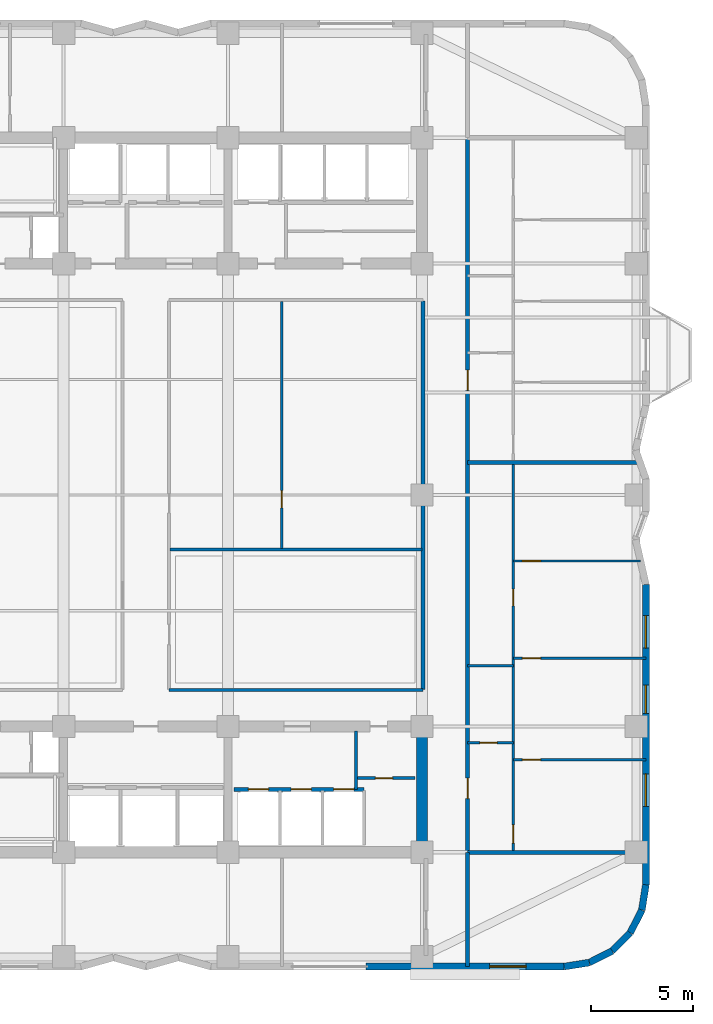
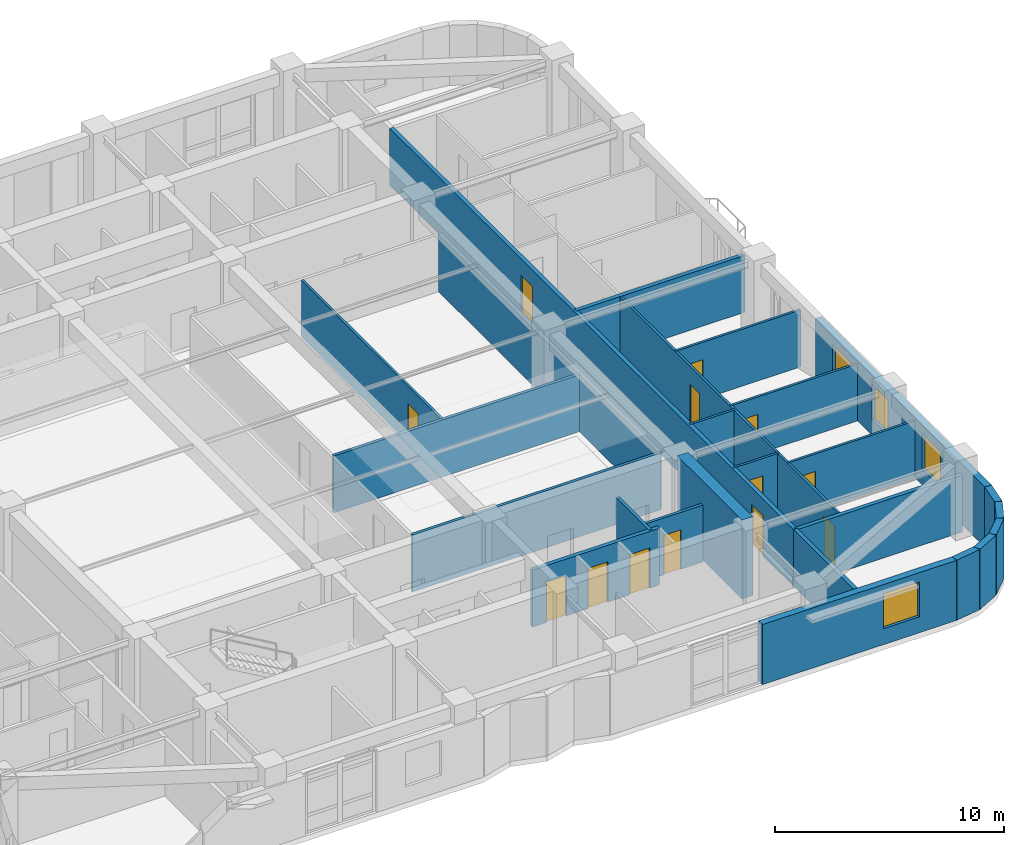
# One storey, part 9 of 15: 25 walls, 13 doors, 4 windows, 17 openings.
"""IFC4 building model written with IfcOpenShell, lengths in metres."""

from ifc_helpers import new_model, si_unit, direction, frame, frame_2d, origin, place, context, subcontext, project, spatial, rectangle, extrude, material, layer, layer_set, type_object, element, fill, save


model = new_model("IFC4")

# Units and contexts
model_context = context("Model", 3, precision=1e-05, world=origin(), true_north=direction((0.0, 1.0)))
body_context = subcontext(model_context, "Body", "Model", "MODEL_VIEW")
ifc_project = project(units=[si_unit("LENGTHUNIT", "METRE"), si_unit("AREAUNIT", "SQUARE_METRE"), si_unit("VOLUMEUNIT", "CUBIC_METRE"), si_unit("PLANEANGLEUNIT", "RADIAN"), si_unit("MASSUNIT", "GRAM", prefix="KILO")], contexts=[model_context])

# Site, building, storey
site_placement = place(None, origin())
site = spatial("IfcSite", under=ifc_project, at=site_placement, CompositionType="ELEMENT")
building_placement = place(site_placement, origin())
building = spatial("IfcBuilding", under=site, at=building_placement, Name="Svetorya Sky Lyceum", CompositionType="ELEMENT")
storey_placement = place(building_placement, frame((0.0, 0.0, 84.10009765625)))
storey = spatial("IfcBuildingStorey", under=building, at=storey_placement, Name="L20", CompositionType="ELEMENT", Elevation=84.10009765625)

# Wall
ifc_material_1 = material(Name="Concrete C60/75", Category="concrete")
ifc_layer_1 = layer(ifc_material_1, 0.550048828125)
ifc_layer_set_1 = layer_set([ifc_layer_1], Name="Concrete C60/75")
wall_type_1 = type_object("IfcWallType", Name="WL-CORE-550", PredefinedType="SHEAR", material=ifc_layer_set_1)
wall_1_placement = place(storey_placement, frame((52.800048828125, 10.875, 0.0), z_axis=(0.0, 0.0, 1.0), x_axis=(0.0, 1.0, 0.0)))
element("IfcWall", 1, at=wall_1_placement, inside=storey, type_object=wall_type_1, Name="L20 SC East Core Shear Wall", PredefinedType="SHEAR", context=body_context, shape_type="SweptSolid", body=[
    extrude(rectangle(XDim=5.64990234375, YDim=0.550048828125, at=frame_2d((2.824951171875, 0.0))), origin(), (0.0, 0.0, 1.0), 4.199951171875),
])

# Wall, opening, window
ifc_material_2 = material(Name="Putilovo limestone rainscreen on autoclaved cellular masonry", Category="masonry")
ifc_layer_2 = layer(ifc_material_2, 0.340087890625)
ifc_layer_set_2 = layer_set([ifc_layer_2], Name="Putilovo limestone rainscreen on autoclaved cellular masonry")
wall_type_2 = type_object("IfcWallType", Name="WL-EXT-340", PredefinedType="SOLIDWALL", material=ifc_layer_set_2)
wall_2_placement = place(storey_placement, frame((50.050048828125, 4.969970703125, 0.0), z_axis=(0.0, 0.0, 1.0), x_axis=(1.0, 0.0, 0.0)))
wall_2 = element("IfcWall", 2, at=wall_2_placement, inside=storey, type_object=wall_type_2, Name="L20 Limestone Exterior Wall 11B", PredefinedType="SOLIDWALL", context=body_context, shape_type="SweptSolid", body=[
    extrude(rectangle(XDim=9.75, YDim=0.340087890625, at=frame_2d((4.875, 0.0))), origin(), (0.0, 0.0, 1.0), 3.199951171875),
])
opening_1_placement = place(wall_2_placement, frame((6.08740234375, 0.0, 0.85009765625)))
opening_1 = element("IfcOpeningElement", 3, at=opening_1_placement, cuts=wall_2, Name="Opening W-R1", PredefinedType="OPENING", context=body_context, shape_type="SweptSolid", body=[
    extrude(rectangle(XDim=1.800048828125, YDim=1.85009765625, at=frame_2d((0.89990234375, 0.925048828125))), frame((0.0, 0.179931640625, 0.0), z_axis=(0.0, -1.0, 0.0), x_axis=(1.0, 0.0, 0.0)), (0.0, 0.0, 1.0), 0.360107421875),
])
ifc_material_3 = material(Name="Thermally broken aluminium frame with triple low-E glazing", Category="aluminium")
window_type_1 = type_object("IfcWindowType", Name="WN-RES-180", PartitioningType="DOUBLE_PANEL_VERTICAL", PredefinedType="WINDOW", material=ifc_material_3)
window_1_placement = place(opening_1_placement, origin())
window_1 = element("IfcWindow", 4, at=window_1_placement, inside=storey, type_object=window_type_1, Name="L20 Facade Window W-R1.11B.1", OverallHeight=1.85009765625, OverallWidth=1.800048828125, PartitioningType="SINGLE_PANEL", PredefinedType="WINDOW", context=body_context, shape_type="SweptSolid", body=[
    extrude(rectangle(XDim=1.800048828125, YDim=1.85009765625, at=frame_2d((0.89990234375, 0.925048828125))), frame((0.0, 0.030029296875, 0.0), z_axis=(0.0, -1.0, 0.0), x_axis=(1.0, 0.0, 0.0)), (0.0, 0.0, 1.0), 0.06005859375),
])
fill(opening_1, window_1)

# Walls
wall_3_placement = place(storey_placement, frame((59.800048828125, 4.969970703125, 0.0), z_axis=(0.0, 0.0, 1.0), x_axis=(0.987685918112, 0.15644975923, 0.0)))
element("IfcWall", 5, at=wall_3_placement, inside=storey, type_object=wall_type_2, Name="L20 Limestone Exterior Wall 12M", PredefinedType="SOLIDWALL", context=body_context, shape_type="SweptSolid", body=[
    extrude(rectangle(XDim=1.260986328125, YDim=0.340087890625, at=frame_2d((0.63037109375, 0.0))), origin(), (0.0, 0.0, 1.0), 3.199951171875),
])
for number, where, z_axis, x_axis, name in (
    (6, (61.04541015625, 5.167236328125, 0.0), (0.0, 0.0, 1.0), (0.890953769915, 0.454094020963, 0.0), "L20 Limestone Exterior Wall 13M"),
    (7, (62.168701171875, 5.73974609375, 0.0), (0.0, 0.0, 1.0), (0.707203598708, 0.707009950407, 0.0), "L20 Limestone Exterior Wall 14M"),
):
    element("IfcWall", number, at=place(storey_placement, frame(where, z_axis=z_axis, x_axis=x_axis)), inside=storey, type_object=wall_type_2, Name=name, PredefinedType="SOLIDWALL", context=body_context, shape_type="SweptSolid", body=[
        extrude(rectangle(XDim=1.2607421875, YDim=0.340087890625, at=frame_2d((0.63037109375, 0.0))), origin(), (0.0, 0.0, 1.0), 3.199951171875),
    ])
for number, where, z_axis, x_axis, name in (
    (8, (63.060302734375, 6.631103515625, 0.0), (0.0, 0.0, 1.0), (0.454015689056, 0.890993689142, 0.0), "L20 Limestone Exterior Wall 15M"),
    (9, (63.6328125, 7.754638671875, 0.0), (0.0, 0.0, 1.0), (0.15644975923, 0.987685918112, 0.0), "L20 Limestone Exterior Wall 16M"),
):
    element("IfcWall", number, at=place(storey_placement, frame(where, z_axis=z_axis, x_axis=x_axis)), inside=storey, type_object=wall_type_2, Name=name, PredefinedType="SOLIDWALL", context=body_context, shape_type="SweptSolid", body=[
        extrude(rectangle(XDim=1.260986328125, YDim=0.340087890625, at=frame_2d((0.63037109375, 0.0))), origin(), (0.0, 0.0, 1.0), 3.199951171875),
    ])

# Wall, openings, windows
wall_4_placement = place(storey_placement, frame((63.830078125, 9.0, 0.0), z_axis=(0.0, 0.0, 1.0), x_axis=(0.0, 1.0, 0.0)))
wall_4 = element("IfcWall", 10, at=wall_4_placement, inside=storey, type_object=wall_type_2, Name="L20 Limestone Exterior Wall 17M", PredefinedType="SOLIDWALL", context=body_context, shape_type="SweptSolid", body=[
    extrude(rectangle(XDim=14.800048828125, YDim=0.340087890625, at=frame_2d((7.39990234375, 0.0))), origin(), (0.0, 0.0, 1.0), 3.199951171875),
])
opening_2_placement = place(wall_4_placement, frame((3.862548828125, 0.0, 0.85009765625)))
opening_2 = element("IfcOpeningElement", 11, at=opening_2_placement, cuts=wall_4, Name="Opening W-R4", PredefinedType="OPENING", context=body_context, shape_type="SweptSolid", body=[
    extrude(rectangle(XDim=1.60009765625, YDim=1.89990234375, at=frame_2d((0.800048828125, 0.949951171875))), frame((0.0, 0.179931640625, 0.0), z_axis=(0.0, -1.0, 0.0), x_axis=(1.0, 0.0, 0.0)), (0.0, 0.0, 1.0), 0.360107421875),
])
opening_3_placement = place(wall_4_placement, frame((8.43994140625, 0.0, 0.85009765625)))
opening_3 = element("IfcOpeningElement", 12, at=opening_3_placement, cuts=wall_4, Name="Opening W-R2", PredefinedType="OPENING", context=body_context, shape_type="SweptSolid", body=[
    extrude(rectangle(XDim=1.39990234375, YDim=1.85009765625, at=frame_2d((0.699951171875, 0.925048828125))), frame((0.0, 0.179931640625, 0.0), z_axis=(0.0, -1.0, 0.0), x_axis=(1.0, 0.0, 0.0)), (0.0, 0.0, 1.0), 0.360107421875),
])
opening_4_placement = place(wall_4_placement, frame((11.66259765625, 0.0, 0.85009765625)))
opening_4 = element("IfcOpeningElement", 13, at=opening_4_placement, cuts=wall_4, Name="Opening W-R4", PredefinedType="OPENING", context=body_context, shape_type="SweptSolid", body=[
    extrude(rectangle(XDim=1.60009765625, YDim=1.89990234375, at=frame_2d((0.800048828125, 0.949951171875))), frame((0.0, 0.179931640625, 0.0), z_axis=(0.0, -1.0, 0.0), x_axis=(1.0, 0.0, 0.0)), (0.0, 0.0, 1.0), 0.360107421875),
])
window_type_2 = type_object("IfcWindowType", Name="WN-RES-140", PartitioningType="SINGLE_PANEL", PredefinedType="WINDOW", material=ifc_material_3)
window_2_placement = place(opening_3_placement, origin())
window_2 = element("IfcWindow", 14, at=window_2_placement, inside=storey, type_object=window_type_2, Name="L20 Facade Window W-R2.17M.3", OverallHeight=1.85009765625, OverallWidth=1.39990234375, PartitioningType="SINGLE_PANEL", PredefinedType="WINDOW", context=body_context, shape_type="SweptSolid", body=[
    extrude(rectangle(XDim=1.39990234375, YDim=1.85009765625, at=frame_2d((0.699951171875, 0.925048828125))), frame((0.0, 0.030029296875, 0.0), z_axis=(0.0, -1.0, 0.0), x_axis=(1.0, 0.0, 0.0)), (0.0, 0.0, 1.0), 0.06005859375),
])
fill(opening_3, window_2)
window_type_3 = type_object("IfcWindowType", Name="WN-RES-160", PartitioningType="DOUBLE_PANEL_VERTICAL", PredefinedType="WINDOW", material=ifc_material_3)
window_3_placement = place(opening_2_placement, origin())
window_3 = element("IfcWindow", 15, at=window_3_placement, inside=storey, type_object=window_type_3, Name="L20 Facade Window W-R4.17M.1", OverallHeight=1.89990234375, OverallWidth=1.60009765625, PartitioningType="SINGLE_PANEL", PredefinedType="WINDOW", context=body_context, shape_type="SweptSolid", body=[
    extrude(rectangle(XDim=1.60009765625, YDim=1.89990234375, at=frame_2d((0.800048828125, 0.949951171875))), frame((0.0, 0.030029296875, 0.0), z_axis=(0.0, -1.0, 0.0), x_axis=(1.0, 0.0, 0.0)), (0.0, 0.0, 1.0), 0.06005859375),
])
fill(opening_2, window_3)
window_4_placement = place(opening_4_placement, origin())
window_4 = element("IfcWindow", 16, at=window_4_placement, inside=storey, type_object=window_type_3, Name="L20 Facade Window W-R4.17M.2", OverallHeight=1.89990234375, OverallWidth=1.60009765625, PartitioningType="SINGLE_PANEL", PredefinedType="WINDOW", context=body_context, shape_type="SweptSolid", body=[
    extrude(rectangle(XDim=1.60009765625, YDim=1.89990234375, at=frame_2d((0.800048828125, 0.949951171875))), frame((0.0, 0.030029296875, 0.0), z_axis=(0.0, -1.0, 0.0), x_axis=(1.0, 0.0, 0.0)), (0.0, 0.0, 1.0), 0.06005859375),
])
fill(opening_4, window_4)

# Wall, opening, door
ifc_material_4 = material(Name="Twin-stud galvanized framing with double fireboard", Category="gypsum")
ifc_layer_3 = layer(ifc_material_4, 0.1201171875)
ifc_layer_set_3 = layer_set([ifc_layer_3], Name="Twin-stud galvanized framing with double fireboard")
wall_type_3 = type_object("IfcWallType", Name="WL-PART-120", PredefinedType="PARTITIONING", material=ifc_layer_set_3)
wall_5_placement = place(storey_placement, frame((45.89990234375, 25.5703125, 0.0), z_axis=(0.0, 0.0, 1.0), x_axis=(0.0, 1.0, 0.0)))
wall_5 = element("IfcWall", 17, at=wall_5_placement, inside=storey, type_object=wall_type_3, Name="L20 Interior Partition SKY-DIV", PredefinedType="PARTITIONING", context=body_context, shape_type="SweptSolid", body=[
    extrude(rectangle(XDim=12.169677734375, YDim=0.1201171875, at=frame_2d((6.0849609375, 0.0))), origin(), (0.0, 0.0, 1.0), 3.02978515625),
])
opening_5_placement = place(wall_5_placement, frame((2.0, 0.0, 0.0)))
opening_5 = element("IfcOpeningElement", 18, at=opening_5_placement, cuts=wall_5, Name="Opening D-BT1", PredefinedType="OPENING", context=body_context, shape_type="SweptSolid", body=[
    extrude(rectangle(XDim=0.85009765625, YDim=2.10009765625, at=frame_2d((0.425048828125, 1.050048828125))), frame((0.0, 0.070068359375, 0.0), z_axis=(0.0, -1.0, 0.0), x_axis=(1.0, 0.0, 0.0)), (0.0, 0.0, 1.0), 0.14013671875),
])
ifc_material_5 = material(Name="Moisture-resistant laminate bathroom door")
door_type_1 = type_object("IfcDoorType", Name="DR-WET-850", OperationType="SINGLE_SWING_LEFT", PredefinedType="DOOR", material=ifc_material_5)
door_1_placement = place(opening_5_placement, origin())
door_1 = element("IfcDoor", 19, at=door_1_placement, inside=storey, type_object=door_type_1, Name="L20 Luggage Store Door", OperationType="SINGLE_SWING_LEFT", OverallHeight=2.10009765625, OverallWidth=0.85009765625, PredefinedType="DOOR", context=body_context, shape_type="SweptSolid", body=[
    extrude(rectangle(XDim=0.85009765625, YDim=2.10009765625, at=frame_2d((0.425048828125, 1.050048828125))), frame((0.0, 0.02490234375, 0.0), z_axis=(0.0, -1.0, 0.0), x_axis=(1.0, 0.0, 0.0)), (0.0, 0.0, 1.0), 0.050048828125),
])
fill(opening_5, door_1)

wall_6_placement = place(storey_placement, frame((55.050048828125, 16.0, 0.0), z_axis=(0.0, 0.0, 1.0), x_axis=(1.0, 0.0, 0.0)))
wall_6 = element("IfcWall", 20, at=wall_6_placement, inside=storey, type_object=wall_type_3, Name="L20 Interior Partition E1-WH1", PredefinedType="PARTITIONING", context=body_context, shape_type="SweptSolid", body=[
    extrude(rectangle(XDim=2.25, YDim=0.1201171875, at=frame_2d((1.125, 0.0))), origin(), (0.0, 0.0, 1.0), 3.02978515625),
])
opening_6_placement = place(wall_6_placement, frame((0.60009765625, 0.0, 0.0)))
opening_6 = element("IfcOpeningElement", 21, at=opening_6_placement, cuts=wall_6, Name="Opening D-BT1", PredefinedType="OPENING", context=body_context, shape_type="SweptSolid", body=[
    extrude(rectangle(XDim=0.85009765625, YDim=2.10009765625, at=frame_2d((0.425048828125, 1.050048828125))), frame((0.0, 0.070068359375, 0.0), z_axis=(0.0, -1.0, 0.0), x_axis=(1.0, 0.0, 0.0)), (0.0, 0.0, 1.0), 0.14013671875),
])
door_2_placement = place(opening_6_placement, origin())
door_2 = element("IfcDoor", 22, at=door_2_placement, inside=storey, type_object=door_type_1, Name="Apartment E1 Bathroom Door", OperationType="SINGLE_SWING_RIGHT", OverallHeight=2.10009765625, OverallWidth=0.85009765625, PredefinedType="DOOR", context=body_context, shape_type="SweptSolid", body=[
    extrude(rectangle(XDim=0.85009765625, YDim=2.10009765625, at=frame_2d((0.425048828125, 1.050048828125))), frame((0.0, 0.02490234375, 0.0), z_axis=(0.0, -1.0, 0.0), x_axis=(1.0, 0.0, 0.0)), (0.0, 0.0, 1.0), 0.050048828125),
])
fill(opening_6, door_2)

# Wall
wall_7_placement = place(storey_placement, frame((55.050048828125, 19.800048828125, 0.0), z_axis=(0.0, 0.0, 1.0), x_axis=(1.0, 0.0, 0.0)))
element("IfcWall", 23, at=wall_7_placement, inside=storey, type_object=wall_type_3, Name="L20 Interior Partition E1-WH2", PredefinedType="PARTITIONING", context=body_context, shape_type="SweptSolid", body=[
    extrude(rectangle(XDim=2.25, YDim=0.1201171875, at=frame_2d((1.125, 0.0))), origin(), (0.0, 0.0, 1.0), 3.02978515625),
])

# Wall, opening, door
wall_8_placement = place(storey_placement, frame((57.300048828125, 15.14990234375, 0.0), z_axis=(0.0, 0.0, 1.0), x_axis=(1.0, 0.0, 0.0)))
wall_8 = element("IfcWall", 24, at=wall_8_placement, inside=storey, type_object=wall_type_3, Name="L20 Interior Partition E1-WL1", PredefinedType="PARTITIONING", context=body_context, shape_type="SweptSolid", body=[
    extrude(rectangle(XDim=6.530029296875, YDim=0.1201171875, at=frame_2d((3.26513671875, 0.0))), origin(), (0.0, 0.0, 1.0), 3.02978515625),
])
opening_7_placement = place(wall_8_placement, frame((0.449951171875, 0.0, 0.0)))
opening_7 = element("IfcOpeningElement", 25, at=opening_7_placement, cuts=wall_8, Name="Opening D-RM1", PredefinedType="OPENING", context=body_context, shape_type="SweptSolid", body=[
    extrude(rectangle(XDim=0.89990234375, YDim=2.10009765625, at=frame_2d((0.449951171875, 1.050048828125))), frame((0.0, 0.070068359375, 0.0), z_axis=(0.0, -1.0, 0.0), x_axis=(1.0, 0.0, 0.0)), (0.0, 0.0, 1.0), 0.14013671875),
])
ifc_material_6 = material(Name="Lacquered birch veneer internal door")
door_type_2 = type_object("IfcDoorType", Name="DR-INT-900", OperationType="SINGLE_SWING_LEFT", PredefinedType="DOOR", material=ifc_material_6)
door_3_placement = place(opening_7_placement, origin())
door_3 = element("IfcDoor", 26, at=door_3_placement, inside=storey, type_object=door_type_2, Name="Apartment E1 Master Bedroom Door", OperationType="SINGLE_SWING_RIGHT", OverallHeight=2.10009765625, OverallWidth=0.89990234375, PredefinedType="DOOR", context=body_context, shape_type="SweptSolid", body=[
    extrude(rectangle(XDim=0.89990234375, YDim=2.10009765625, at=frame_2d((0.449951171875, 1.050048828125))), frame((0.0, 0.02490234375, 0.0), z_axis=(0.0, -1.0, 0.0), x_axis=(1.0, 0.0, 0.0)), (0.0, 0.0, 1.0), 0.050048828125),
])
fill(opening_7, door_3)

wall_9_placement = place(storey_placement, frame((57.300048828125, 20.14990234375, 0.0), z_axis=(0.0, 0.0, 1.0), x_axis=(1.0, 0.0, 0.0)))
wall_9 = element("IfcWall", 27, at=wall_9_placement, inside=storey, type_object=wall_type_3, Name="L20 Interior Partition E1-WL2", PredefinedType="PARTITIONING", context=body_context, shape_type="SweptSolid", body=[
    extrude(rectangle(XDim=6.530029296875, YDim=0.1201171875, at=frame_2d((3.26513671875, 0.0))), origin(), (0.0, 0.0, 1.0), 3.02978515625),
])
opening_8_placement = place(wall_9_placement, frame((0.449951171875, 0.0, 0.0)))
opening_8 = element("IfcOpeningElement", 28, at=opening_8_placement, cuts=wall_9, Name="Opening D-RM1", PredefinedType="OPENING", context=body_context, shape_type="SweptSolid", body=[
    extrude(rectangle(XDim=0.89990234375, YDim=2.10009765625, at=frame_2d((0.449951171875, 1.050048828125))), frame((0.0, 0.070068359375, 0.0), z_axis=(0.0, -1.0, 0.0), x_axis=(1.0, 0.0, 0.0)), (0.0, 0.0, 1.0), 0.14013671875),
])
door_4_placement = place(opening_8_placement, origin())
door_4 = element("IfcDoor", 29, at=door_4_placement, inside=storey, type_object=door_type_2, Name="Apartment E1 Bedroom 2 Door", OperationType="SINGLE_SWING_LEFT", OverallHeight=2.10009765625, OverallWidth=0.89990234375, PredefinedType="DOOR", context=body_context, shape_type="SweptSolid", body=[
    extrude(rectangle(XDim=0.89990234375, YDim=2.10009765625, at=frame_2d((0.449951171875, 1.050048828125))), frame((0.0, 0.02490234375, 0.0), z_axis=(0.0, -1.0, 0.0), x_axis=(1.0, 0.0, 0.0)), (0.0, 0.0, 1.0), 0.050048828125),
])
fill(opening_8, door_4)

wall_10_placement = place(storey_placement, frame((57.300048828125, 24.949951171875, 0.0), z_axis=(0.0, 0.0, 1.0), x_axis=(1.0, 0.0, 0.0)))
wall_10 = element("IfcWall", 30, at=wall_10_placement, inside=storey, type_object=wall_type_3, Name="L20 Interior Partition E1-WL3", PredefinedType="PARTITIONING", context=body_context, shape_type="SweptSolid", body=[
    extrude(rectangle(XDim=6.2685546875, YDim=0.1201171875, at=frame_2d((3.13427734375, 0.0))), origin(), (0.0, 0.0, 1.0), 3.02978515625),
])
opening_9_placement = place(wall_10_placement, frame((0.449951171875, 0.0, 0.0)))
opening_9 = element("IfcOpeningElement", 31, at=opening_9_placement, cuts=wall_10, Name="Opening D-RM1", PredefinedType="OPENING", context=body_context, shape_type="SweptSolid", body=[
    extrude(rectangle(XDim=0.89990234375, YDim=2.10009765625, at=frame_2d((0.449951171875, 1.050048828125))), frame((0.0, 0.070068359375, 0.0), z_axis=(0.0, -1.0, 0.0), x_axis=(1.0, 0.0, 0.0)), (0.0, 0.0, 1.0), 0.14013671875),
])
door_5_placement = place(opening_9_placement, origin())
door_5 = element("IfcDoor", 32, at=door_5_placement, inside=storey, type_object=door_type_2, Name="Apartment E1 Bedroom 3 Door", OperationType="SINGLE_SWING_RIGHT", OverallHeight=2.10009765625, OverallWidth=0.89990234375, PredefinedType="DOOR", context=body_context, shape_type="SweptSolid", body=[
    extrude(rectangle(XDim=0.89990234375, YDim=2.10009765625, at=frame_2d((0.449951171875, 1.050048828125))), frame((0.0, 0.02490234375, 0.0), z_axis=(0.0, -1.0, 0.0), x_axis=(1.0, 0.0, 0.0)), (0.0, 0.0, 1.0), 0.050048828125),
])
fill(opening_9, door_5)

# Wall, openings, doors
wall_11_placement = place(storey_placement, frame((57.300048828125, 10.639892578125, 0.0), z_axis=(0.0, 0.0, 1.0), x_axis=(0.0, 1.0, 0.0)))
wall_11 = element("IfcWall", 33, at=wall_11_placement, inside=storey, type_object=wall_type_3, Name="L20 Interior Partition E1-WV", PredefinedType="PARTITIONING", context=body_context, shape_type="SweptSolid", body=[
    extrude(rectangle(XDim=19.1201171875, YDim=0.1201171875, at=frame_2d((9.56005859375, 0.0))), origin(), (0.0, 0.0, 1.0), 3.02978515625),
])
opening_10_placement = place(wall_11_placement, frame((0.409912109375, 0.0, 0.0)))
opening_10 = element("IfcOpeningElement", 34, at=opening_10_placement, cuts=wall_11, Name="Opening D-RM1", PredefinedType="OPENING", context=body_context, shape_type="SweptSolid", body=[
    extrude(rectangle(XDim=0.89990234375, YDim=2.10009765625, at=frame_2d((0.449951171875, 1.050048828125))), frame((0.0, 0.070068359375, 0.0), z_axis=(0.0, -1.0, 0.0), x_axis=(1.0, 0.0, 0.0)), (0.0, 0.0, 1.0), 0.14013671875),
])
opening_11_placement = place(wall_11_placement, frame((12.10498046875, 0.0, 0.0)))
opening_11 = element("IfcOpeningElement", 35, at=opening_11_placement, cuts=wall_11, Name="Opening D-BT2", PredefinedType="OPENING", context=body_context, shape_type="SweptSolid", body=[
    extrude(rectangle(XDim=0.820068359375, YDim=2.080078125, at=frame_2d((0.41015625, 1.0400390625))), frame((0.0, 0.070068359375, 0.0), z_axis=(0.0, -1.0, 0.0), x_axis=(1.0, 0.0, 0.0)), (0.0, 0.0, 1.0), 0.14013671875),
])
door_6_placement = place(opening_10_placement, origin())
door_6 = element("IfcDoor", 36, at=door_6_placement, inside=storey, type_object=door_type_2, Name="Apartment E1 Living Door", OperationType="SINGLE_SWING_LEFT", OverallHeight=2.10009765625, OverallWidth=0.89990234375, PredefinedType="DOOR", context=body_context, shape_type="SweptSolid", body=[
    extrude(rectangle(XDim=0.89990234375, YDim=2.10009765625, at=frame_2d((0.449951171875, 1.050048828125))), frame((0.0, 0.02490234375, 0.0), z_axis=(0.0, -1.0, 0.0), x_axis=(1.0, 0.0, 0.0)), (0.0, 0.0, 1.0), 0.050048828125),
])
fill(opening_10, door_6)
ifc_material_7 = material(Name="Compact moisture-resistant laminate closet door")
door_type_3 = type_object("IfcDoorType", Name="DR-WET-820", OperationType="SINGLE_SWING_LEFT", PredefinedType="DOOR", material=ifc_material_7)
door_7_placement = place(opening_11_placement, origin())
door_7 = element("IfcDoor", 37, at=door_7_placement, inside=storey, type_object=door_type_3, Name="Apartment E1 Study Door", OperationType="SINGLE_SWING_RIGHT", OverallHeight=2.080078125, OverallWidth=0.820068359375, PredefinedType="DOOR", context=body_context, shape_type="SweptSolid", body=[
    extrude(rectangle(XDim=0.820068359375, YDim=2.080078125, at=frame_2d((0.41015625, 1.0400390625))), frame((0.0, 0.02490234375, 0.0), z_axis=(0.0, -1.0, 0.0), x_axis=(1.0, 0.0, 0.0)), (0.0, 0.0, 1.0), 0.050048828125),
])
fill(opening_11, door_7)

# Wall
ifc_material_8 = material(Name="Autoclaved cellular masonry blockwork with acoustic render", Category="masonry")
ifc_layer_4 = layer(ifc_material_8, 0.14990234375)
ifc_layer_set_4 = layer_set([ifc_layer_4], Name="Autoclaved cellular masonry blockwork with acoustic render")
wall_type_4 = type_object("IfcWallType", Name="WL-PART-150", PredefinedType="PARTITIONING", material=ifc_layer_set_4)
wall_12_placement = place(storey_placement, frame((49.550048828125, 13.699951171875, 0.0), z_axis=(0.0, 0.0, 1.0), x_axis=(0.0, 1.0, 0.0)))
element("IfcWall", 38, at=wall_12_placement, inside=storey, type_object=wall_type_4, Name="L20 Interior Partition SC-AUX-V", PredefinedType="PARTITIONING", context=body_context, shape_type="SweptSolid", body=[
    extrude(rectangle(XDim=2.880126953125, YDim=0.14990234375, at=frame_2d((1.43994140625, 0.0))), origin(), (0.0, 0.0, 1.0), 3.02978515625),
])

# Wall, opening, door
wall_13_placement = place(storey_placement, frame((49.60009765625, 14.25, 0.0), z_axis=(0.0, 0.0, 1.0), x_axis=(1.0, 0.0, 0.0)))
wall_13 = element("IfcWall", 39, at=wall_13_placement, inside=storey, type_object=wall_type_4, Name="L20 Interior Partition SC-AUX-H2", PredefinedType="PARTITIONING", context=body_context, shape_type="SweptSolid", body=[
    extrude(rectangle(XDim=2.849853515625, YDim=0.14990234375, at=frame_2d((1.4248046875, 0.0))), origin(), (0.0, 0.0, 1.0), 3.02978515625),
])
opening_12_placement = place(wall_13_placement, frame((0.89990234375, 0.0, 0.0)))
opening_12 = element("IfcOpeningElement", 40, at=opening_12_placement, cuts=wall_13, Name="Opening D-CWC1", PredefinedType="OPENING", context=body_context, shape_type="SweptSolid", body=[
    extrude(rectangle(XDim=0.85009765625, YDim=2.10009765625, at=frame_2d((0.425048828125, 1.050048828125))), frame((0.0, 0.0849609375, 0.0), z_axis=(0.0, -1.0, 0.0), x_axis=(1.0, 0.0, 0.0)), (0.0, 0.0, 1.0), 0.169921875),
])
ifc_material_9 = material(Name="Fire-rated galvanized steel core service closet door", Category="steel")
door_type_4 = type_object("IfcDoorType", Name="DR-CWET-850", OperationType="SINGLE_SWING_LEFT", PredefinedType="DOOR", material=ifc_material_9)
door_8_placement = place(opening_12_placement, origin())
door_8 = element("IfcDoor", 41, at=door_8_placement, inside=storey, type_object=door_type_4, Name="L20 South Telecom Room Door", OperationType="SINGLE_SWING_RIGHT", OverallHeight=2.10009765625, OverallWidth=0.85009765625, PredefinedType="DOOR", context=body_context, shape_type="SweptSolid", body=[
    extrude(rectangle(XDim=0.85009765625, YDim=2.10009765625, at=frame_2d((0.425048828125, 1.050048828125))), frame((0.0, 0.02490234375, 0.0), z_axis=(0.0, -1.0, 0.0), x_axis=(1.0, 0.0, 0.0)), (0.0, 0.0, 1.0), 0.050048828125),
])
fill(opening_12, door_8)

# Walls
wall_14_placement = place(storey_placement, frame((40.35009765625, 18.60009765625, 0.0), z_axis=(0.0, 0.0, 1.0), x_axis=(1.0, 0.0, 0.0)))
element("IfcWall", 42, at=wall_14_placement, inside=storey, type_object=wall_type_4, Name="L20 Interior Partition CS-MID-E", PredefinedType="PARTITIONING", context=body_context, shape_type="SweptSolid", body=[
    extrude(rectangle(XDim=12.5, YDim=0.14990234375, at=frame_2d((6.25, 0.0))), origin(), (0.0, 0.0, 1.0), 3.02978515625),
])
wall_15_placement = place(storey_placement, frame((40.3798828125, 25.5205078125, 0.0), z_axis=(0.0, 0.0, 1.0), x_axis=(1.0, 0.0, 0.0)))
element("IfcWall", 43, at=wall_15_placement, inside=storey, type_object=wall_type_4, Name="L20 Interior Partition CEN-HE", PredefinedType="PARTITIONING", context=body_context, shape_type="SweptSolid", body=[
    extrude(rectangle(XDim=12.420166015625, YDim=0.14990234375, at=frame_2d((6.2099609375, 0.0))), origin(), (0.0, 0.0, 1.0), 3.02978515625),
])

# Wall, openings, doors
ifc_material_10 = material(Name="Autoclaved cellular masonry blockwork with gypsum plaster", Category="masonry")
ifc_layer_5 = layer(ifc_material_10, 0.199951171875)
ifc_layer_set_5 = layer_set([ifc_layer_5], Name="Autoclaved cellular masonry blockwork with gypsum plaster")
wall_type_5 = type_object("IfcWallType", Name="WL-PART-200", PredefinedType="PARTITIONING", material=ifc_layer_set_5)
wall_16_placement = place(storey_placement, frame((43.550048828125, 13.699951171875, 0.0), z_axis=(0.0, 0.0, 1.0), x_axis=(1.0, 0.0, 0.0)))
wall_16 = element("IfcWall", 44, at=wall_16_placement, inside=storey, type_object=wall_type_5, Name="L20 Interior Partition SC-PLW", PredefinedType="PARTITIONING", context=body_context, shape_type="SweptSolid", body=[
    extrude(rectangle(XDim=6.39990234375, YDim=0.199951171875, at=frame_2d((3.199951171875, 0.0))), origin(), (0.0, 0.0, 1.0), 3.02978515625),
])
opening_13_placement = place(wall_16_placement, frame((0.699951171875, 0.0, 0.0)))
opening_13 = element("IfcOpeningElement", 45, at=opening_13_placement, cuts=wall_16, Name="Opening LD-P1", PredefinedType="OPENING", context=body_context, shape_type="SweptSolid", body=[
    extrude(rectangle(XDim=1.0, YDim=2.14990234375, at=frame_2d((0.5, 1.074951171875))), frame((0.0, 0.10986328125, 0.0), z_axis=(0.0, -1.0, 0.0), x_axis=(1.0, 0.0, 0.0)), (0.0, 0.0, 1.0), 0.219970703125),
])
opening_14_placement = place(wall_16_placement, frame((2.800048828125, 0.0, 0.0)))
opening_14 = element("IfcOpeningElement", 46, at=opening_14_placement, cuts=wall_16, Name="Opening LD-P1", PredefinedType="OPENING", context=body_context, shape_type="SweptSolid", body=[
    extrude(rectangle(XDim=1.0, YDim=2.14990234375, at=frame_2d((0.5, 1.074951171875))), frame((0.0, 0.10986328125, 0.0), z_axis=(0.0, -1.0, 0.0), x_axis=(1.0, 0.0, 0.0)), (0.0, 0.0, 1.0), 0.219970703125),
])
opening_15_placement = place(wall_16_placement, frame((4.89990234375, 0.0, 0.0)))
opening_15 = element("IfcOpeningElement", 47, at=opening_15_placement, cuts=wall_16, Name="Opening LD-P1", PredefinedType="OPENING", context=body_context, shape_type="SweptSolid", body=[
    extrude(rectangle(XDim=1.0, YDim=2.14990234375, at=frame_2d((0.5, 1.074951171875))), frame((0.0, 0.10986328125, 0.0), z_axis=(0.0, -1.0, 0.0), x_axis=(1.0, 0.0, 0.0)), (0.0, 0.0, 1.0), 0.219970703125),
])
ifc_material_11 = material(Name="Champagne-anodized stainless passenger lift landing door")
door_type_5 = type_object("IfcDoorType", Name="DR-LIFT-1000", OperationType="SLIDING_TO_LEFT", PredefinedType="DOOR", material=ifc_material_11)
door_9_placement = place(opening_13_placement, origin())
door_9 = element("IfcDoor", 48, at=door_9_placement, inside=storey, type_object=door_type_5, Name="L20 Passenger Lift PL1 Landing Door", OperationType="SLIDING_TO_LEFT", OverallHeight=2.14990234375, OverallWidth=1.0, PredefinedType="DOOR", context=body_context, shape_type="SweptSolid", body=[
    extrude(rectangle(XDim=1.0, YDim=2.14990234375, at=frame_2d((0.5, 1.074951171875))), frame((0.0, 0.02490234375, 0.0), z_axis=(0.0, -1.0, 0.0), x_axis=(1.0, 0.0, 0.0)), (0.0, 0.0, 1.0), 0.050048828125),
])
fill(opening_13, door_9)
door_10_placement = place(opening_14_placement, origin())
door_10 = element("IfcDoor", 49, at=door_10_placement, inside=storey, type_object=door_type_5, Name="L20 Passenger Lift PL2 Landing Door", OperationType="SLIDING_TO_LEFT", OverallHeight=2.14990234375, OverallWidth=1.0, PredefinedType="DOOR", context=body_context, shape_type="SweptSolid", body=[
    extrude(rectangle(XDim=1.0, YDim=2.14990234375, at=frame_2d((0.5, 1.074951171875))), frame((0.0, 0.02490234375, 0.0), z_axis=(0.0, -1.0, 0.0), x_axis=(1.0, 0.0, 0.0)), (0.0, 0.0, 1.0), 0.050048828125),
])
fill(opening_14, door_10)
door_11_placement = place(opening_15_placement, origin())
door_11 = element("IfcDoor", 50, at=door_11_placement, inside=storey, type_object=door_type_5, Name="L20 Passenger Lift PL3 Landing Door", OperationType="SLIDING_TO_LEFT", OverallHeight=2.14990234375, OverallWidth=1.0, PredefinedType="DOOR", context=body_context, shape_type="SweptSolid", body=[
    extrude(rectangle(XDim=1.0, YDim=2.14990234375, at=frame_2d((0.5, 1.074951171875))), frame((0.0, 0.02490234375, 0.0), z_axis=(0.0, -1.0, 0.0), x_axis=(1.0, 0.0, 0.0)), (0.0, 0.0, 1.0), 0.050048828125),
])
fill(opening_15, door_11)

# Walls
wall_17_placement = place(storey_placement, frame((52.85009765625, 18.6298828125, 0.0), z_axis=(0.0, 0.0, 1.0), x_axis=(0.0, 1.0, 0.0)))
element("IfcWall", 51, at=wall_17_placement, inside=storey, type_object=wall_type_5, Name="L20 Interior Partition E-CEN-SEP", PredefinedType="PARTITIONING", context=body_context, shape_type="SweptSolid", body=[
    extrude(rectangle(XDim=19.14013671875, YDim=0.199951171875, at=frame_2d((9.570068359375, 0.0))), origin(), (0.0, 0.0, 1.0), 3.02978515625),
])
wall_18_placement = place(storey_placement, frame((55.050048828125, 29.800048828125, 0.0), z_axis=(0.0, 0.0, 1.0), x_axis=(1.0, 0.0, 0.0)))
element("IfcWall", 52, at=wall_18_placement, inside=storey, type_object=wall_type_5, Name="L20 Interior Partition E-PARTY-1", PredefinedType="PARTITIONING", context=body_context, shape_type="SweptSolid", body=[
    extrude(rectangle(XDim=8.494140625, YDim=0.199951171875, at=frame_2d((4.2470703125, 0.0))), origin(), (0.0, 0.0, 1.0), 3.02978515625),
])

# Wall, openings, doors
wall_19_placement = place(storey_placement, frame((55.050048828125, 10.60009765625, 0.0), z_axis=(0.0, 0.0, 1.0), x_axis=(0.0, 1.0, 0.0)))
wall_19 = element("IfcWall", 53, at=wall_19_placement, inside=storey, type_object=wall_type_5, Name="L20 Interior Partition E-CORRW", PredefinedType="PARTITIONING", context=body_context, shape_type="SweptSolid", body=[
    extrude(rectangle(XDim=35.199951171875, YDim=0.199951171875, at=frame_2d((17.60009765625, 0.0))), origin(), (0.0, 0.0, 1.0), 3.02978515625),
])
opening_16_placement = place(wall_19_placement, frame((2.64990234375, 0.0, 0.0)))
opening_16 = element("IfcOpeningElement", 54, at=opening_16_placement, cuts=wall_19, Name="Opening D-APT1", PredefinedType="OPENING", context=body_context, shape_type="SweptSolid", body=[
    extrude(rectangle(XDim=1.0, YDim=2.14990234375, at=frame_2d((0.5, 1.074951171875))), frame((0.0, 0.10986328125, 0.0), z_axis=(0.0, -1.0, 0.0), x_axis=(1.0, 0.0, 0.0)), (0.0, 0.0, 1.0), 0.219970703125),
])
opening_17_placement = place(wall_19_placement, frame((22.75, 0.0, 0.0)))
opening_17 = element("IfcOpeningElement", 55, at=opening_17_placement, cuts=wall_19, Name="Opening D-APT1", PredefinedType="OPENING", context=body_context, shape_type="SweptSolid", body=[
    extrude(rectangle(XDim=1.0, YDim=2.14990234375, at=frame_2d((0.5, 1.074951171875))), frame((0.0, 0.10986328125, 0.0), z_axis=(0.0, -1.0, 0.0), x_axis=(1.0, 0.0, 0.0)), (0.0, 0.0, 1.0), 0.219970703125),
])
ifc_material_12 = material(Name="Insulated oak-veneered apartment entrance door")
door_type_6 = type_object("IfcDoorType", Name="DR-APT-1000", OperationType="SINGLE_SWING_LEFT", PredefinedType="DOOR", material=ifc_material_12)
door_12_placement = place(opening_16_placement, origin())
door_12 = element("IfcDoor", 56, at=door_12_placement, inside=storey, type_object=door_type_6, Name="L20 Apartment E1 Entrance Door", OperationType="SINGLE_SWING_RIGHT", OverallHeight=2.14990234375, OverallWidth=1.0, PredefinedType="DOOR", context=body_context, shape_type="SweptSolid", body=[
    extrude(rectangle(XDim=1.0, YDim=2.14990234375, at=frame_2d((0.5, 1.074951171875))), frame((0.0, 0.02490234375, 0.0), z_axis=(0.0, -1.0, 0.0), x_axis=(1.0, 0.0, 0.0)), (0.0, 0.0, 1.0), 0.050048828125),
])
fill(opening_16, door_12)
door_13_placement = place(opening_17_placement, origin())
door_13 = element("IfcDoor", 57, at=door_13_placement, inside=storey, type_object=door_type_6, Name="L20 Apartment E2 Entrance Door", OperationType="SINGLE_SWING_LEFT", OverallHeight=2.14990234375, OverallWidth=1.0, PredefinedType="DOOR", context=body_context, shape_type="SweptSolid", body=[
    extrude(rectangle(XDim=1.0, YDim=2.14990234375, at=frame_2d((0.5, 1.074951171875))), frame((0.0, 0.02490234375, 0.0), z_axis=(0.0, -1.0, 0.0), x_axis=(1.0, 0.0, 0.0)), (0.0, 0.0, 1.0), 0.050048828125),
])
fill(opening_17, door_13)

# Walls
wall_20_placement = place(storey_placement, frame((55.050048828125, 10.60009765625, 0.0), z_axis=(0.0, 0.0, 1.0), x_axis=(1.0, 0.0, 0.0)))
element("IfcWall", 58, at=wall_20_placement, inside=storey, type_object=wall_type_5, Name="L20 Interior Partition E-CAP-S", PredefinedType="PARTITIONING", context=body_context, shape_type="SweptSolid", body=[
    extrude(rectangle(XDim=8.35986328125, YDim=0.199951171875, at=frame_2d((4.179931640625, 0.0))), origin(), (0.0, 0.0, 1.0), 3.02978515625),
])
wall_21_placement = place(storey_placement, frame((55.050048828125, 4.969970703125, 0.0), z_axis=(0.0, 0.0, 1.0), x_axis=(0.0, 1.0, 0.0)))
element("IfcWall", 59, at=wall_21_placement, inside=storey, type_object=wall_type_5, Name="L20 Interior Partition EC-SE-END", PredefinedType="PARTITIONING", context=body_context, shape_type="SweptSolid", body=[
    extrude(rectangle(XDim=5.630126953125, YDim=0.199951171875, at=frame_2d((2.81494140625, 0.0))), origin(), (0.0, 0.0, 1.0), 3.02978515625),
])

save(model, "model.ifc")
